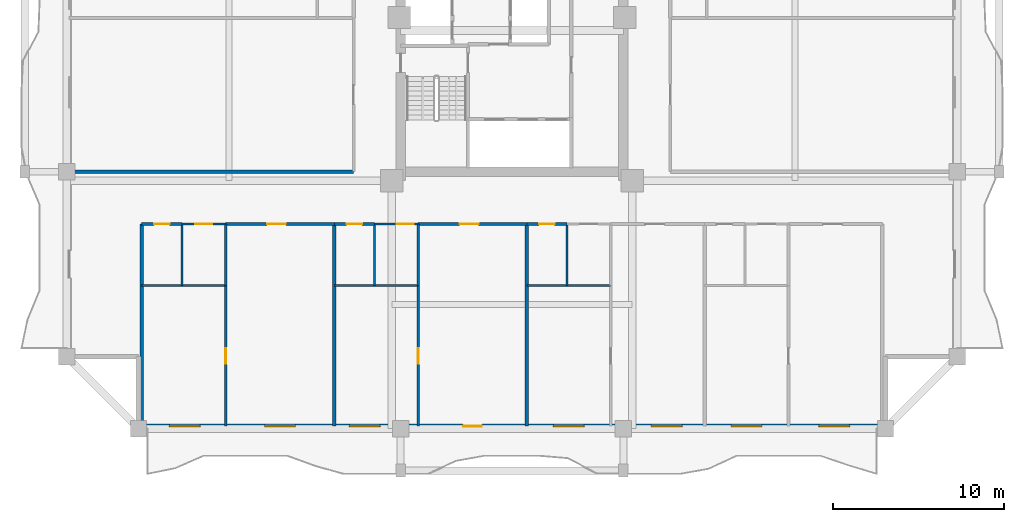
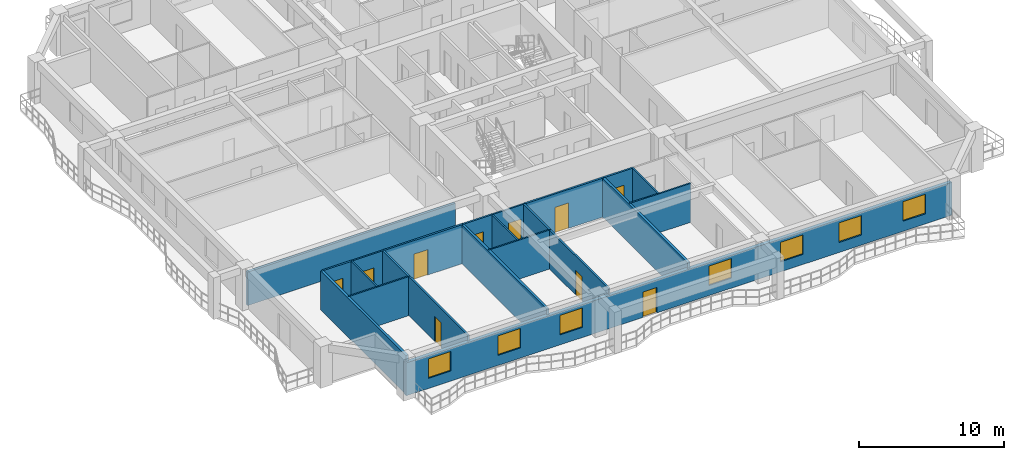
# One storey, part 2 of 17: 22 walls, 10 doors, 7 windows, 17 openings.
"""IFC4 building model written with IfcOpenShell, lengths in metres."""

from ifc_helpers import new_model, si_unit, direction, frame, frame_2d, origin, place, context, subcontext, project, spatial, rectangle, extrude, source, transform, mapped, material, layer, layer_set, type_object, element, fill, save


model = new_model("IFC4")

# Units and contexts
model_context = context("Model", 3, precision=1e-05, world=origin(), true_north=direction((0.0, 1.0)))
body_context = subcontext(model_context, "Body", "Model", "MODEL_VIEW")
ifc_project = project(units=[si_unit("LENGTHUNIT", "METRE"), si_unit("AREAUNIT", "SQUARE_METRE"), si_unit("VOLUMEUNIT", "CUBIC_METRE"), si_unit("PLANEANGLEUNIT", "RADIAN"), si_unit("MASSUNIT", "GRAM", prefix="KILO")], contexts=[model_context])

# Site, building, storey
site_placement = place(None, origin())
site = spatial("IfcSite", under=ifc_project, at=site_placement, CompositionType="ELEMENT")
building_placement = place(site_placement, origin())
building = spatial("IfcBuilding", under=site, at=building_placement, Name="Saelheon Loggia Tower", CompositionType="ELEMENT")
storey_placement = place(building_placement, frame((0.0, 0.0, 74.35009765625)))
storey = spatial("IfcBuildingStorey", under=building, at=storey_placement, Name="L23", CompositionType="ELEMENT", Elevation=74.35009765625)

# Wall, openings, windows, door
ifc_material_1 = material(Name="Architectural Precast Concrete C40/50", Category="concrete")
ifc_layer_1 = layer(ifc_material_1, 0.280029296875)
ifc_layer_set_1 = layer_set([ifc_layer_1], Name="Architectural Precast Concrete C40/50")
wall_type_1 = type_object("IfcWallType", Name="Wall_Ext_Loggia_280", PredefinedType="SOLIDWALL", material=ifc_layer_set_1)
wall_1_placement = place(storey_placement, frame((16.199951171875, 3.139892578125, 0.0), z_axis=(0.0, 0.0, 1.0), x_axis=(1.0, 0.0, 0.0)))
wall_1 = element("IfcWall", 1, at=wall_1_placement, inside=storey, type_object=wall_type_1, Name="L23 South Loggia Inner Wall", PredefinedType="SOLIDWALL", context=body_context, shape_type="SweptSolid", body=[
    extrude(rectangle(XDim=43.60009765625, YDim=0.280029296875, at=frame_2d((21.800048828125, 0.0))), origin(), (0.0, 0.0, 1.0), 2.77978515625),
])
opening_1_placement = place(wall_1_placement, frame((1.797607421875, 0.0, 0.85009765625)))
opening_1 = element("IfcOpeningElement", 2, at=opening_1_placement, cuts=wall_1, Name="Opening WN-01", PredefinedType="OPENING", context=body_context, shape_type="SweptSolid", body=[
    extrude(rectangle(XDim=1.800048828125, YDim=1.64990234375, at=frame_2d((0.89990234375, 0.824951171875))), frame((0.0, 0.152099609375, 0.0), z_axis=(0.0, -1.0, 0.0), x_axis=(1.0, 0.0, 0.0)), (0.0, 0.0, 1.0), 0.303955078125),
])
opening_2_placement = place(wall_1_placement, frame((7.351318359375, 0.0, 0.85009765625)))
opening_2 = element("IfcOpeningElement", 3, at=opening_2_placement, cuts=wall_1, Name="Opening WN-01", PredefinedType="OPENING", context=body_context, shape_type="SweptSolid", body=[
    extrude(rectangle(XDim=1.800048828125, YDim=1.64990234375, at=frame_2d((0.89990234375, 0.824951171875))), frame((0.0, 0.152099609375, 0.0), z_axis=(0.0, -1.0, 0.0), x_axis=(1.0, 0.0, 0.0)), (0.0, 0.0, 1.0), 0.303955078125),
])
opening_3_placement = place(wall_1_placement, frame((12.3037109375, 0.0, 0.85009765625)))
opening_3 = element("IfcOpeningElement", 4, at=opening_3_placement, cuts=wall_1, Name="Opening WN-01", PredefinedType="OPENING", context=body_context, shape_type="SweptSolid", body=[
    extrude(rectangle(XDim=1.800048828125, YDim=1.64990234375, at=frame_2d((0.89990234375, 0.824951171875))), frame((0.0, 0.152099609375, 0.0), z_axis=(0.0, -1.0, 0.0), x_axis=(1.0, 0.0, 0.0)), (0.0, 0.0, 1.0), 0.303955078125),
])
opening_4_placement = place(wall_1_placement, frame((20.043701171875, 0.0, 0.0), z_axis=(0.0, 0.0, 1.0), x_axis=(-1.0, 0.0, 0.0)))
opening_4 = element("IfcOpeningElement", 5, at=opening_4_placement, cuts=wall_1, Name="Opening TD1", PredefinedType="OPENING", context=body_context, shape_type="SweptSolid", body=[
    extrude(rectangle(XDim=1.10009765625, YDim=2.14990234375, at=frame_2d((0.550048828125, 1.074951171875))), frame((0.0, 0.152099609375, 0.0), z_axis=(0.0, -1.0, 0.0), x_axis=(1.0, 0.0, 0.0)), (0.0, 0.0, 1.0), 0.303955078125),
])
opening_5_placement = place(wall_1_placement, frame((24.21484375, 0.0, 0.85009765625)))
opening_5 = element("IfcOpeningElement", 6, at=opening_5_placement, cuts=wall_1, Name="Opening WN-01", PredefinedType="OPENING", context=body_context, shape_type="SweptSolid", body=[
    extrude(rectangle(XDim=1.800048828125, YDim=1.64990234375, at=frame_2d((0.89990234375, 0.824951171875))), frame((0.0, 0.152099609375, 0.0), z_axis=(0.0, -1.0, 0.0), x_axis=(1.0, 0.0, 0.0)), (0.0, 0.0, 1.0), 0.303955078125),
])
opening_6_placement = place(wall_1_placement, frame((29.9287109375, 0.0, 0.85009765625)))
opening_6 = element("IfcOpeningElement", 7, at=opening_6_placement, cuts=wall_1, Name="Opening WN-01", PredefinedType="OPENING", context=body_context, shape_type="SweptSolid", body=[
    extrude(rectangle(XDim=1.800048828125, YDim=1.64990234375, at=frame_2d((0.89990234375, 0.824951171875))), frame((0.0, 0.152099609375, 0.0), z_axis=(0.0, -1.0, 0.0), x_axis=(1.0, 0.0, 0.0)), (0.0, 0.0, 1.0), 0.303955078125),
])
opening_7_placement = place(wall_1_placement, frame((34.59228515625, 0.0, 0.85009765625)))
opening_7 = element("IfcOpeningElement", 8, at=opening_7_placement, cuts=wall_1, Name="Opening WN-01", PredefinedType="OPENING", context=body_context, shape_type="SweptSolid", body=[
    extrude(rectangle(XDim=1.800048828125, YDim=1.64990234375, at=frame_2d((0.89990234375, 0.824951171875))), frame((0.0, 0.152099609375, 0.0), z_axis=(0.0, -1.0, 0.0), x_axis=(1.0, 0.0, 0.0)), (0.0, 0.0, 1.0), 0.303955078125),
])
opening_8_placement = place(wall_1_placement, frame((39.713623046875, 0.0, 0.85009765625)))
opening_8 = element("IfcOpeningElement", 9, at=opening_8_placement, cuts=wall_1, Name="Opening WN-01", PredefinedType="OPENING", context=body_context, shape_type="SweptSolid", body=[
    extrude(rectangle(XDim=1.800048828125, YDim=1.64990234375, at=frame_2d((0.89990234375, 0.824951171875))), frame((0.0, 0.152099609375, 0.0), z_axis=(0.0, -1.0, 0.0), x_axis=(1.0, 0.0, 0.0)), (0.0, 0.0, 1.0), 0.303955078125),
])
ifc_material_2 = material(Name="Thermal-Break Aluminium and Triple Low-E Glass", Category="aluminium")
window_type = type_object("IfcWindowType", Name="Win_Dwelling_1800x1650", PartitioningType="SINGLE_PANEL", PredefinedType="WINDOW", material=ifc_material_2)
shared_shape_1 = source(origin(), body_context, "Body", "SweptSolid", [
    extrude(rectangle(XDim=1.800048828125, YDim=1.64990234375, at=frame_2d((0.89990234375, 0.824951171875))), frame((0.0, 0.030029296875, 0.0), z_axis=(0.0, -1.0, 0.0), x_axis=(1.0, 0.0, 0.0)), (0.0, 0.0, 1.0), 0.06005859375),
])
window_1_placement = place(opening_1_placement, origin())
window_1 = element("IfcWindow", 10, at=window_1_placement, inside=storey, type_object=window_type, Name="L23 S Dwelling Window 1", OverallHeight=1.64990234375, OverallWidth=1.800048828125, PartitioningType="SINGLE_PANEL", PredefinedType="WINDOW", context=body_context, shape_type="MappedRepresentation", body=[
    mapped(shared_shape_1, transform((0.0, 0.0, 0.0), scale=1.0)),
])
fill(opening_1, window_1)
window_2_placement = place(opening_2_placement, origin())
window_2 = element("IfcWindow", 11, at=window_2_placement, inside=storey, type_object=window_type, Name="L23 S Dwelling Window 2", OverallHeight=1.64990234375, OverallWidth=1.800048828125, PartitioningType="SINGLE_PANEL", PredefinedType="WINDOW", context=body_context, shape_type="MappedRepresentation", body=[
    mapped(shared_shape_1, transform((0.0, 0.0, 0.0), scale=1.0)),
])
fill(opening_2, window_2)
window_3_placement = place(opening_3_placement, origin())
window_3 = element("IfcWindow", 12, at=window_3_placement, inside=storey, type_object=window_type, Name="L23 S Dwelling Window 3", OverallHeight=1.64990234375, OverallWidth=1.800048828125, PartitioningType="SINGLE_PANEL", PredefinedType="WINDOW", context=body_context, shape_type="MappedRepresentation", body=[
    mapped(shared_shape_1, transform((0.0, 0.0, 0.0), scale=1.0)),
])
fill(opening_3, window_3)
window_4_placement = place(opening_5_placement, origin())
window_4 = element("IfcWindow", 13, at=window_4_placement, inside=storey, type_object=window_type, Name="L23 S Dwelling Window 5", OverallHeight=1.64990234375, OverallWidth=1.800048828125, PartitioningType="SINGLE_PANEL", PredefinedType="WINDOW", context=body_context, shape_type="MappedRepresentation", body=[
    mapped(shared_shape_1, transform((0.0, 0.0, 0.0), scale=1.0)),
])
fill(opening_5, window_4)
window_5_placement = place(opening_6_placement, origin())
window_5 = element("IfcWindow", 14, at=window_5_placement, inside=storey, type_object=window_type, Name="L23 S Dwelling Window 6", OverallHeight=1.64990234375, OverallWidth=1.800048828125, PartitioningType="SINGLE_PANEL", PredefinedType="WINDOW", context=body_context, shape_type="MappedRepresentation", body=[
    mapped(shared_shape_1, transform((0.0, 0.0, 0.0), scale=1.0)),
])
fill(opening_6, window_5)
window_6_placement = place(opening_7_placement, origin())
window_6 = element("IfcWindow", 15, at=window_6_placement, inside=storey, type_object=window_type, Name="L23 S Dwelling Window 7", OverallHeight=1.64990234375, OverallWidth=1.800048828125, PartitioningType="SINGLE_PANEL", PredefinedType="WINDOW", context=body_context, shape_type="MappedRepresentation", body=[
    mapped(shared_shape_1, transform((0.0, 0.0, 0.0), scale=1.0)),
])
fill(opening_7, window_6)
window_7_placement = place(opening_8_placement, origin())
window_7 = element("IfcWindow", 16, at=window_7_placement, inside=storey, type_object=window_type, Name="L23 S Dwelling Window 8", OverallHeight=1.64990234375, OverallWidth=1.800048828125, PartitioningType="SINGLE_PANEL", PredefinedType="WINDOW", context=body_context, shape_type="MappedRepresentation", body=[
    mapped(shared_shape_1, transform((0.0, 0.0, 0.0), scale=1.0)),
])
fill(opening_8, window_7)
ifc_material_3 = material(Name="Thermal-Break Aluminium Glazed Door", Category="aluminium")
door_type_1 = type_object("IfcDoorType", Name="Door_Terrace_TD1", OperationType="NOTDEFINED", PredefinedType="DOOR", material=ifc_material_3)
shared_shape_2 = source(origin(), body_context, "Body", "SweptSolid", [
    extrude(rectangle(XDim=1.10009765625, YDim=2.14990234375, at=frame_2d((0.550048828125, 1.074951171875))), frame((0.0, 0.02490234375, 0.0), z_axis=(0.0, -1.0, 0.0), x_axis=(1.0, 0.0, 0.0)), (0.0, 0.0, 1.0), 0.050048828125),
])
door_1_placement = place(opening_4_placement, origin())
door_1 = element("IfcDoor", 17, at=door_1_placement, inside=storey, type_object=door_type_1, Name="L23 S Loggia Access Door", OperationType="SINGLE_SWING_RIGHT", OverallHeight=2.14990234375, OverallWidth=1.10009765625, PredefinedType="DOOR", context=body_context, shape_type="MappedRepresentation", body=[
    mapped(shared_shape_2, transform((0.0, 0.0, 0.0), scale=1.0)),
])
fill(opening_4, door_1)

# Wall
ifc_material_4 = material(Name="Lightweight Autoclaved Aerated Concrete Block and Acoustic Gypsum", Category="concrete")
ifc_layer_2 = layer(ifc_material_4, 0.14990234375)
ifc_layer_set_2 = layer_set([ifc_layer_2], Name="Lightweight Autoclaved Aerated Concrete Block and Acoustic Gypsum")
wall_type_2 = type_object("IfcWallType", Name="Wall_Part_150", PredefinedType="PARTITIONING", material=ifc_layer_set_2)
wall_2_placement = place(storey_placement, frame((21.280029296875, 14.949951171875, 0.0), z_axis=(0.0, 0.0, 1.0), x_axis=(0.0, -1.0, 0.0)))
element("IfcWall", 18, at=wall_2_placement, inside=storey, type_object=wall_type_2, Name="L23 S Partition U04", PredefinedType="PARTITIONING", context=body_context, shape_type="SweptSolid", body=[
    extrude(rectangle(XDim=3.599853515625, YDim=0.14990234375, at=frame_2d((1.7998046875, 0.0))), origin(), (0.0, 0.0, 1.0), 3.289794921875),
])

# Wall, opening, door
wall_3_placement = place(storey_placement, frame((21.280029296875, 11.35009765625, 0.0), z_axis=(0.0, 0.0, 1.0), x_axis=(0.0, -1.0, 0.0)))
wall_3 = element("IfcWall", 19, at=wall_3_placement, inside=storey, type_object=wall_type_2, Name="L23 S Partition U05", PredefinedType="PARTITIONING", context=body_context, shape_type="SweptSolid", body=[
    extrude(rectangle(XDim=8.2001953125, YDim=0.14990234375, at=frame_2d((4.10009765625, 0.0))), origin(), (0.0, 0.0, 1.0), 3.289794921875),
])
opening_9_placement = place(wall_3_placement, frame((3.64990234375, 0.0, 0.0)))
opening_9 = element("IfcOpeningElement", 20, at=opening_9_placement, cuts=wall_3, Name="Opening D-IN2", PredefinedType="OPENING", context=body_context, shape_type="SweptSolid", body=[
    extrude(rectangle(XDim=0.89990234375, YDim=2.10009765625, at=frame_2d((0.449951171875, 1.050048828125))), frame((0.0, 0.0869140625, 0.0), z_axis=(0.0, -1.0, 0.0), x_axis=(1.0, 0.0, 0.0)), (0.0, 0.0, 1.0), 0.173828125),
])
ifc_material_5 = material(Name="Engineered Oak Flush Door", Category="timber")
door_type_2 = type_object("IfcDoorType", Name="Door_Int_900", OperationType="NOTDEFINED", PredefinedType="DOOR", material=ifc_material_5)
shared_shape_3 = source(origin(), body_context, "Body", "SweptSolid", [
    extrude(rectangle(XDim=0.89990234375, YDim=2.10009765625, at=frame_2d((0.449951171875, 1.050048828125))), frame((0.0, 0.02490234375, 0.0), z_axis=(0.0, -1.0, 0.0), x_axis=(1.0, 0.0, 0.0)), (0.0, 0.0, 1.0), 0.050048828125),
])
door_2_placement = place(opening_9_placement, origin())
door_2 = element("IfcDoor", 21, at=door_2_placement, inside=storey, type_object=door_type_2, Name="L23 Reading Alcove Door", OperationType="SINGLE_SWING_RIGHT", OverallHeight=2.10009765625, OverallWidth=0.89990234375, PredefinedType="DOOR", context=body_context, shape_type="MappedRepresentation", body=[
    mapped(shared_shape_3, transform((0.0, 0.0, 0.0), scale=1.0)),
])
fill(opening_9, door_2)

wall_4_placement = place(storey_placement, frame((16.3798828125, 14.949951171875, 0.0), z_axis=(0.0, 0.0, 1.0), x_axis=(1.0, 0.0, 0.0)))
wall_4 = element("IfcWall", 22, at=wall_4_placement, inside=storey, type_object=wall_type_2, Name="L23 S Partition V07", PredefinedType="PARTITIONING", context=body_context, shape_type="SweptSolid", body=[
    extrude(rectangle(XDim=2.35009765625, YDim=0.14990234375, at=frame_2d((1.175048828125, 0.0))), origin(), (0.0, 0.0, 1.0), 3.289794921875),
])
opening_10_placement = place(wall_4_placement, frame((0.72509765625, 0.0, 0.0)))
opening_10 = element("IfcOpeningElement", 23, at=opening_10_placement, cuts=wall_4, Name="Opening D-IN2", PredefinedType="OPENING", context=body_context, shape_type="SweptSolid", body=[
    extrude(rectangle(XDim=0.89990234375, YDim=2.10009765625, at=frame_2d((0.449951171875, 1.050048828125))), frame((0.0, 0.0869140625, 0.0), z_axis=(0.0, -1.0, 0.0), x_axis=(1.0, 0.0, 0.0)), (0.0, 0.0, 1.0), 0.173828125),
])
door_3_placement = place(opening_10_placement, origin())
door_3 = element("IfcDoor", 24, at=door_3_placement, inside=storey, type_object=door_type_2, Name="L23 Community Pantry Door", OperationType="SINGLE_SWING_LEFT", OverallHeight=2.10009765625, OverallWidth=0.89990234375, PredefinedType="DOOR", context=body_context, shape_type="MappedRepresentation", body=[
    mapped(shared_shape_3, transform((0.0, 0.0, 0.0), scale=1.0)),
])
fill(opening_10, door_3)

wall_5_placement = place(storey_placement, frame((21.280029296875, 14.949951171875, 0.0), z_axis=(0.0, 0.0, 1.0), x_axis=(1.0, 0.0, 0.0)))
wall_5 = element("IfcWall", 25, at=wall_5_placement, inside=storey, type_object=wall_type_2, Name="L23 S Partition V09", PredefinedType="PARTITIONING", context=body_context, shape_type="SweptSolid", body=[
    extrude(rectangle(XDim=6.34228515625, YDim=0.14990234375, at=frame_2d((3.171142578125, 0.0))), origin(), (0.0, 0.0, 1.0), 3.289794921875),
])
opening_11_placement = place(wall_5_placement, frame((2.42431640625, 0.0, 0.0)))
opening_11 = element("IfcOpeningElement", 26, at=opening_11_placement, cuts=wall_5, Name="Opening D-FD2", PredefinedType="OPENING", context=body_context, shape_type="SweptSolid", body=[
    extrude(rectangle(XDim=1.10009765625, YDim=2.14990234375, at=frame_2d((0.550048828125, 1.074951171875))), frame((0.0, 0.0869140625, 0.0), z_axis=(0.0, -1.0, 0.0), x_axis=(1.0, 0.0, 0.0)), (0.0, 0.0, 1.0), 0.173828125),
])
ifc_material_6 = material(Name="Galvanised Steel Fire Door", Category="steel")
door_type_3 = type_object("IfcDoorType", Name="Door_Fire_FD60_1100", OperationType="NOTDEFINED", PredefinedType="DOOR", material=ifc_material_6)
door_4_placement = place(opening_11_placement, origin())
door_4 = element("IfcDoor", 27, at=door_4_placement, inside=storey, type_object=door_type_3, Name="L23 Sky Community Club Hall Door A", OperationType="SINGLE_SWING_LEFT", OverallHeight=2.14990234375, OverallWidth=1.10009765625, PredefinedType="DOOR", context=body_context, shape_type="MappedRepresentation", body=[
    mapped(shared_shape_2, transform((0.0, 0.0, 0.0), scale=1.0)),
])
fill(opening_11, door_4)

# Wall
wall_6_placement = place(storey_placement, frame((32.5224609375, 14.949951171875, 0.0), z_axis=(0.0, 0.0, 1.0), x_axis=(0.0, -1.0, 0.0)))
element("IfcWall", 28, at=wall_6_placement, inside=storey, type_object=wall_type_2, Name="L23 S Partition U12", PredefinedType="PARTITIONING", context=body_context, shape_type="SweptSolid", body=[
    extrude(rectangle(XDim=3.599853515625, YDim=0.14990234375, at=frame_2d((1.7998046875, 0.0))), origin(), (0.0, 0.0, 1.0), 3.289794921875),
])

# Wall, opening, door
wall_7_placement = place(storey_placement, frame((32.5224609375, 11.35009765625, 0.0), z_axis=(0.0, 0.0, 1.0), x_axis=(0.0, -1.0, 0.0)))
wall_7 = element("IfcWall", 29, at=wall_7_placement, inside=storey, type_object=wall_type_2, Name="L23 S Partition U13", PredefinedType="PARTITIONING", context=body_context, shape_type="SweptSolid", body=[
    extrude(rectangle(XDim=8.2001953125, YDim=0.14990234375, at=frame_2d((4.10009765625, 0.0))), origin(), (0.0, 0.0, 1.0), 3.289794921875),
])
opening_12_placement = place(wall_7_placement, frame((3.64990234375, 0.0, 0.0)))
opening_12 = element("IfcOpeningElement", 30, at=opening_12_placement, cuts=wall_7, Name="Opening D-IN2", PredefinedType="OPENING", context=body_context, shape_type="SweptSolid", body=[
    extrude(rectangle(XDim=0.89990234375, YDim=2.10009765625, at=frame_2d((0.449951171875, 1.050048828125))), frame((0.0, 0.0869140625, 0.0), z_axis=(0.0, -1.0, 0.0), x_axis=(1.0, 0.0, 0.0)), (0.0, 0.0, 1.0), 0.173828125),
])
door_5_placement = place(opening_12_placement, origin())
door_5 = element("IfcDoor", 31, at=door_5_placement, inside=storey, type_object=door_type_2, Name="L23 Reading Alcove Door", OperationType="SINGLE_SWING_RIGHT", OverallHeight=2.10009765625, OverallWidth=0.89990234375, PredefinedType="DOOR", context=body_context, shape_type="MappedRepresentation", body=[
    mapped(shared_shape_3, transform((0.0, 0.0, 0.0), scale=1.0)),
])
fill(opening_12, door_5)

wall_8_placement = place(storey_placement, frame((27.622314453125, 14.949951171875, 0.0), z_axis=(0.0, 0.0, 1.0), x_axis=(1.0, 0.0, 0.0)))
wall_8 = element("IfcWall", 32, at=wall_8_placement, inside=storey, type_object=wall_type_2, Name="L23 S Partition V15", PredefinedType="PARTITIONING", context=body_context, shape_type="SweptSolid", body=[
    extrude(rectangle(XDim=2.35009765625, YDim=0.14990234375, at=frame_2d((1.175048828125, 0.0))), origin(), (0.0, 0.0, 1.0), 3.289794921875),
])
opening_13_placement = place(wall_8_placement, frame((0.72509765625, 0.0, 0.0)))
opening_13 = element("IfcOpeningElement", 33, at=opening_13_placement, cuts=wall_8, Name="Opening D-IN2", PredefinedType="OPENING", context=body_context, shape_type="SweptSolid", body=[
    extrude(rectangle(XDim=0.89990234375, YDim=2.10009765625, at=frame_2d((0.449951171875, 1.050048828125))), frame((0.0, 0.0869140625, 0.0), z_axis=(0.0, -1.0, 0.0), x_axis=(1.0, 0.0, 0.0)), (0.0, 0.0, 1.0), 0.173828125),
])
door_6_placement = place(opening_13_placement, origin())
door_6 = element("IfcDoor", 34, at=door_6_placement, inside=storey, type_object=door_type_2, Name="L23 Community Pantry Door", OperationType="SINGLE_SWING_LEFT", OverallHeight=2.10009765625, OverallWidth=0.89990234375, PredefinedType="DOOR", context=body_context, shape_type="MappedRepresentation", body=[
    mapped(shared_shape_3, transform((0.0, 0.0, 0.0), scale=1.0)),
])
fill(opening_13, door_6)

wall_9_placement = place(storey_placement, frame((32.5224609375, 14.949951171875, 0.0), z_axis=(0.0, 0.0, 1.0), x_axis=(1.0, 0.0, 0.0)))
wall_9 = element("IfcWall", 35, at=wall_9_placement, inside=storey, type_object=wall_type_2, Name="L23 S Partition V17", PredefinedType="PARTITIONING", context=body_context, shape_type="SweptSolid", body=[
    extrude(rectangle(XDim=6.34228515625, YDim=0.14990234375, at=frame_2d((3.171142578125, 0.0))), origin(), (0.0, 0.0, 1.0), 3.289794921875),
])
opening_14_placement = place(wall_9_placement, frame((2.42431640625, 0.0, 0.0)))
opening_14 = element("IfcOpeningElement", 36, at=opening_14_placement, cuts=wall_9, Name="Opening D-FD2", PredefinedType="OPENING", context=body_context, shape_type="SweptSolid", body=[
    extrude(rectangle(XDim=1.10009765625, YDim=2.14990234375, at=frame_2d((0.550048828125, 1.074951171875))), frame((0.0, 0.0869140625, 0.0), z_axis=(0.0, -1.0, 0.0), x_axis=(1.0, 0.0, 0.0)), (0.0, 0.0, 1.0), 0.173828125),
])
door_7_placement = place(opening_14_placement, origin())
door_7 = element("IfcDoor", 37, at=door_7_placement, inside=storey, type_object=door_type_3, Name="L23 Resident Seminar and Study Hall Door A", OperationType="SINGLE_SWING_LEFT", OverallHeight=2.14990234375, OverallWidth=1.10009765625, PredefinedType="DOOR", context=body_context, shape_type="MappedRepresentation", body=[
    mapped(shared_shape_2, transform((0.0, 0.0, 0.0), scale=1.0)),
])
fill(opening_14, door_7)

wall_10_placement = place(storey_placement, frame((38.86474609375, 14.949951171875, 0.0), z_axis=(0.0, 0.0, 1.0), x_axis=(1.0, 0.0, 0.0)))
wall_10 = element("IfcWall", 38, at=wall_10_placement, inside=storey, type_object=wall_type_2, Name="L23 S Partition V23", PredefinedType="PARTITIONING", context=body_context, shape_type="SweptSolid", body=[
    extrude(rectangle(XDim=2.35009765625, YDim=0.14990234375, at=frame_2d((1.175048828125, 0.0))), origin(), (0.0, 0.0, 1.0), 3.289794921875),
])
opening_15_placement = place(wall_10_placement, frame((0.72509765625, 0.0, 0.0)))
opening_15 = element("IfcOpeningElement", 39, at=opening_15_placement, cuts=wall_10, Name="Opening D-IN2", PredefinedType="OPENING", context=body_context, shape_type="SweptSolid", body=[
    extrude(rectangle(XDim=0.89990234375, YDim=2.10009765625, at=frame_2d((0.449951171875, 1.050048828125))), frame((0.0, 0.0869140625, 0.0), z_axis=(0.0, -1.0, 0.0), x_axis=(1.0, 0.0, 0.0)), (0.0, 0.0, 1.0), 0.173828125),
])
door_8_placement = place(opening_15_placement, origin())
door_8 = element("IfcDoor", 40, at=door_8_placement, inside=storey, type_object=door_type_2, Name="L23 Community Pantry Door", OperationType="SINGLE_SWING_LEFT", OverallHeight=2.10009765625, OverallWidth=0.89990234375, PredefinedType="DOOR", context=body_context, shape_type="MappedRepresentation", body=[
    mapped(shared_shape_3, transform((0.0, 0.0, 0.0), scale=1.0)),
])
fill(opening_15, door_8)

# Walls
ifc_material_7 = material(Name="Double Acoustic Stud and Fireboard Partition", Category="gypsum")
ifc_layer_3 = layer(ifc_material_7, 0.199951171875)
ifc_layer_set_3 = layer_set([ifc_layer_3], Name="Double Acoustic Stud and Fireboard Partition")
wall_type_3 = type_object("IfcWallType", Name="Wall_Party_200", PredefinedType="PARTITIONING", material=ifc_layer_set_3)
for number, where, z_axis, x_axis, name in (
    (41, (16.3798828125, 14.949951171875, 0.0), (0.0, 0.0, 1.0), (0.0, -1.0, 0.0), "L23 S Partition U01"),
    (42, (27.622314453125, 14.949951171875, 0.0), (0.0, 0.0, 1.0), (0.0, -1.0, 0.0), "L23 S Partition U10"),
    (43, (38.86474609375, 14.949951171875, 0.0), (0.0, 0.0, 1.0), (0.0, -1.0, 0.0), "L23 S Partition U18"),
):
    element("IfcWall", number, at=place(storey_placement, frame(where, z_axis=z_axis, x_axis=x_axis)), inside=storey, type_object=wall_type_3, Name=name, PredefinedType="PARTITIONING", context=body_context, shape_type="SweptSolid", body=[
        extrude(rectangle(XDim=11.800048828125, YDim=0.199951171875, at=frame_2d((5.89990234375, 0.0))), origin(), (0.0, 0.0, 1.0), 3.289794921875),
    ])
wall_11_placement = place(storey_placement, frame((28.75, 18.0, 0.0), z_axis=(0.0, 0.0, 1.0), x_axis=(-1.0, 0.0, 0.0)))
element("IfcWall", 44, at=wall_11_placement, inside=storey, type_object=wall_type_3, Name="L23 W Partition U01", PredefinedType="PARTITIONING", context=body_context, shape_type="SweptSolid", body=[
    extrude(rectangle(XDim=16.60009765625, YDim=0.199951171875, at=frame_2d((8.300048828125, 0.0))), origin(), (0.0, 0.0, 1.0), 2.83984375),
])
ifc_material_8 = material(Name="Moisture-Resistant Cement Board Partition", Category="gypsum")
ifc_layer_4 = layer(ifc_material_8, 0.1201171875)
ifc_layer_set_4 = layer_set([ifc_layer_4], Name="Moisture-Resistant Cement Board Partition")
wall_type_4 = type_object("IfcWallType", Name="Wall_WetPart_120", PredefinedType="PARTITIONING", material=ifc_layer_set_4)
wall_12_placement = place(storey_placement, frame((18.72998046875, 14.949951171875, 0.0), z_axis=(0.0, 0.0, 1.0), x_axis=(0.0, -1.0, 0.0)))
element("IfcWall", 45, at=wall_12_placement, inside=storey, type_object=wall_type_4, Name="L23 S Partition U03", PredefinedType="PARTITIONING", context=body_context, shape_type="SweptSolid", body=[
    extrude(rectangle(XDim=3.599853515625, YDim=0.1201171875, at=frame_2d((1.7998046875, 0.0))), origin(), (0.0, 0.0, 1.0), 3.289794921875),
])
wall_13_placement = place(storey_placement, frame((16.3798828125, 11.35009765625, 0.0), z_axis=(0.0, 0.0, 1.0), x_axis=(1.0, 0.0, 0.0)))
element("IfcWall", 46, at=wall_13_placement, inside=storey, type_object=wall_type_4, Name="L23 S Partition V06", PredefinedType="PARTITIONING", context=body_context, shape_type="SweptSolid", body=[
    extrude(rectangle(XDim=4.900146484375, YDim=0.1201171875, at=frame_2d((2.4501953125, 0.0))), origin(), (0.0, 0.0, 1.0), 3.289794921875),
])

# Wall, opening, door
wall_14_placement = place(storey_placement, frame((18.72998046875, 14.949951171875, 0.0), z_axis=(0.0, 0.0, 1.0), x_axis=(1.0, 0.0, 0.0)))
wall_14 = element("IfcWall", 47, at=wall_14_placement, inside=storey, type_object=wall_type_4, Name="L23 S Partition V08", PredefinedType="PARTITIONING", context=body_context, shape_type="SweptSolid", body=[
    extrude(rectangle(XDim=2.550048828125, YDim=0.1201171875, at=frame_2d((1.27490234375, 0.0))), origin(), (0.0, 0.0, 1.0), 3.289794921875),
])
opening_16_placement = place(wall_14_placement, frame((0.77490234375, 0.0, 0.0)))
opening_16 = element("IfcOpeningElement", 48, at=opening_16_placement, cuts=wall_14, Name="Opening D-AC1", PredefinedType="OPENING", context=body_context, shape_type="SweptSolid", body=[
    extrude(rectangle(XDim=1.0, YDim=2.10009765625, at=frame_2d((0.5, 1.050048828125))), frame((0.0, 0.072021484375, 0.0), z_axis=(0.0, -1.0, 0.0), x_axis=(1.0, 0.0, 0.0)), (0.0, 0.0, 1.0), 0.14404296875),
])
ifc_material_9 = material(Name="Accessible Laminate Flush Door", Category="timber")
door_type_4 = type_object("IfcDoorType", Name="Door_Acc_1000", OperationType="NOTDEFINED", PredefinedType="DOOR", material=ifc_material_9)
shared_shape_4 = source(origin(), body_context, "Body", "SweptSolid", [
    extrude(rectangle(XDim=1.0, YDim=2.10009765625, at=frame_2d((0.5, 1.050048828125))), frame((0.0, 0.02490234375, 0.0), z_axis=(0.0, -1.0, 0.0), x_axis=(1.0, 0.0, 0.0)), (0.0, 0.0, 1.0), 0.050048828125),
])
door_9_placement = place(opening_16_placement, origin())
door_9 = element("IfcDoor", 49, at=door_9_placement, inside=storey, type_object=door_type_4, Name="L23 Common Washroom Door", OperationType="SINGLE_SWING_RIGHT", OverallHeight=2.10009765625, OverallWidth=1.0, PredefinedType="DOOR", context=body_context, shape_type="MappedRepresentation", body=[
    mapped(shared_shape_4, transform((0.0, 0.0, 0.0), scale=1.0)),
])
fill(opening_16, door_9)

# Walls
wall_15_placement = place(storey_placement, frame((29.972412109375, 14.949951171875, 0.0), z_axis=(0.0, 0.0, 1.0), x_axis=(0.0, -1.0, 0.0)))
element("IfcWall", 50, at=wall_15_placement, inside=storey, type_object=wall_type_4, Name="L23 S Partition U11", PredefinedType="PARTITIONING", context=body_context, shape_type="SweptSolid", body=[
    extrude(rectangle(XDim=3.599853515625, YDim=0.1201171875, at=frame_2d((1.7998046875, 0.0))), origin(), (0.0, 0.0, 1.0), 3.289794921875),
])
wall_16_placement = place(storey_placement, frame((27.622314453125, 11.35009765625, 0.0), z_axis=(0.0, 0.0, 1.0), x_axis=(1.0, 0.0, 0.0)))
element("IfcWall", 51, at=wall_16_placement, inside=storey, type_object=wall_type_4, Name="L23 S Partition V14", PredefinedType="PARTITIONING", context=body_context, shape_type="SweptSolid", body=[
    extrude(rectangle(XDim=4.900146484375, YDim=0.1201171875, at=frame_2d((2.4501953125, 0.0))), origin(), (0.0, 0.0, 1.0), 3.289794921875),
])

# Wall, opening, door
wall_17_placement = place(storey_placement, frame((29.972412109375, 14.949951171875, 0.0), z_axis=(0.0, 0.0, 1.0), x_axis=(1.0, 0.0, 0.0)))
wall_17 = element("IfcWall", 52, at=wall_17_placement, inside=storey, type_object=wall_type_4, Name="L23 S Partition V16", PredefinedType="PARTITIONING", context=body_context, shape_type="SweptSolid", body=[
    extrude(rectangle(XDim=2.550048828125, YDim=0.1201171875, at=frame_2d((1.27490234375, 0.0))), origin(), (0.0, 0.0, 1.0), 3.289794921875),
])
opening_17_placement = place(wall_17_placement, frame((1.2900390625, 0.0, 0.0)))
opening_17 = element("IfcOpeningElement", 53, at=opening_17_placement, cuts=wall_17, Name="Opening D-AC1", PredefinedType="OPENING", context=body_context, shape_type="SweptSolid", body=[
    extrude(rectangle(XDim=1.0, YDim=2.10009765625, at=frame_2d((0.5, 1.050048828125))), frame((0.0, 0.072021484375, 0.0), z_axis=(0.0, -1.0, 0.0), x_axis=(1.0, 0.0, 0.0)), (0.0, 0.0, 1.0), 0.14404296875),
])
door_10_placement = place(opening_17_placement, origin())
door_10 = element("IfcDoor", 54, at=door_10_placement, inside=storey, type_object=door_type_4, Name="L23 Common Washroom Door", OperationType="SINGLE_SWING_RIGHT", OverallHeight=2.10009765625, OverallWidth=1.0, PredefinedType="DOOR", context=body_context, shape_type="MappedRepresentation", body=[
    mapped(shared_shape_4, transform((0.0, 0.0, 0.0), scale=1.0)),
])
fill(opening_17, door_10)

# Walls
wall_18_placement = place(storey_placement, frame((41.21484375, 14.949951171875, 0.0), z_axis=(0.0, 0.0, 1.0), x_axis=(0.0, -1.0, 0.0)))
element("IfcWall", 55, at=wall_18_placement, inside=storey, type_object=wall_type_4, Name="L23 S Partition U19", PredefinedType="PARTITIONING", context=body_context, shape_type="SweptSolid", body=[
    extrude(rectangle(XDim=3.599853515625, YDim=0.1201171875, at=frame_2d((1.7998046875, 0.0))), origin(), (0.0, 0.0, 1.0), 3.289794921875),
])
wall_19_placement = place(storey_placement, frame((38.86474609375, 11.35009765625, 0.0), z_axis=(0.0, 0.0, 1.0), x_axis=(1.0, 0.0, 0.0)))
element("IfcWall", 56, at=wall_19_placement, inside=storey, type_object=wall_type_4, Name="L23 S Partition V22", PredefinedType="PARTITIONING", context=body_context, shape_type="SweptSolid", body=[
    extrude(rectangle(XDim=4.900146484375, YDim=0.1201171875, at=frame_2d((2.4501953125, 0.0))), origin(), (0.0, 0.0, 1.0), 3.289794921875),
])

save(model, "model.ifc")
